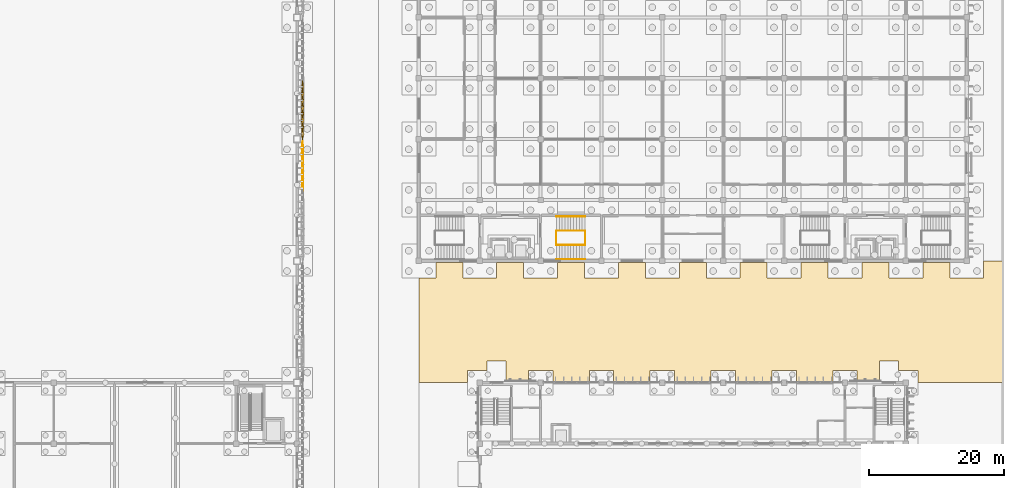
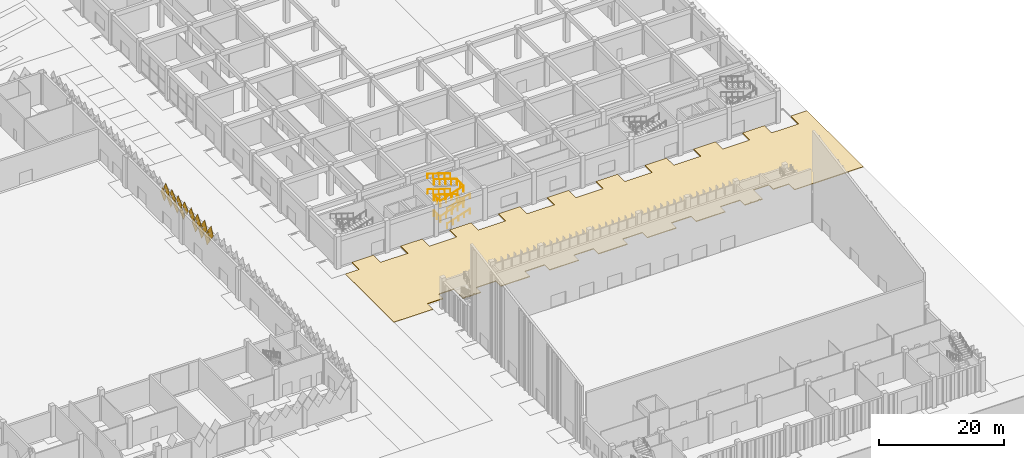
# One storey, part 186 of 198: 16 coverings, 12 railings.
"""IFC4 building model written with IfcOpenShell, lengths in metres."""

import ifcopenshell
import ifcopenshell.guid

model = None  # the IFC model being written
_history = None  # IfcOwnerHistory: only IFC2X3 demands one
_inside = {}  # id of a spatial element -> (the spatial element, [elements in it])
_under = {}  # id of a project, library or spatial element -> (it, [spatial elements below it])
_declared = {}  # id of a project -> (the project, [libraries it declares])
_typed = {}  # id of a type object -> (the type object, [elements of that type])
_made_of = {}  # id of a material, layer set ... -> (it, [elements and type objects made of it])


def new_model(schema):
    """Start an empty IFC model of exactly this schema.

    Asked for "IFC4X3", IfcOpenShell would pick the latest addendum, in which some entities
    have other attributes; the version numbers below select the first issue.
    IFC2X3 requires an IfcOwnerHistory on every rooted entity: one is made here for all.
    """
    global model, _history
    if schema == "IFC4X3":
        model = ifcopenshell.file(schema_version=(4, 3, 0, 0))
    else:
        model = ifcopenshell.file(schema=schema)
    _inside.clear()
    _under.clear()
    _declared.clear()
    _typed.clear()
    _made_of.clear()
    _history = None
    if model.schema == "IFC2X3":
        org = make("IfcOrganization", Name="unknown")
        user = make(
            "IfcPersonAndOrganization",
            ThePerson=make("IfcPerson", FamilyName="unknown"),
            TheOrganization=org,
        )
        app = make(
            "IfcApplication",
            ApplicationDeveloper=org,
            Version="unknown",
            ApplicationFullName="unknown",
            ApplicationIdentifier="unknown",
        )
        _history = make(
            "IfcOwnerHistory",
            OwningUser=user,
            OwningApplication=app,
            ChangeAction="ADDED",
            CreationDate=0,
        )
    return model


def make(cls, **values):
    """One entity of the class cls with the attributes given. An attribute that is None is left unset."""
    return model.create_entity(
        cls, **{name: value for name, value in values.items() if value is not None}
    )


def rooted(cls, **values):
    """An entity with a GlobalId (a new one), such as an element, a storey or a relation."""
    return make(cls, GlobalId=ifcopenshell.guid.new(), OwnerHistory=_history, **values)


def si_unit(unit_type, name, prefix=None):
    """IfcSIUnit, for example si_unit("LENGTHUNIT", "METRE", prefix="MILLI")."""
    return make("IfcSIUnit", UnitType=unit_type, Prefix=prefix, Name=name)


def assignment(units):
    """IfcUnitAssignment: the units of a project."""
    return None if units is None else make("IfcUnitAssignment", Units=units)


def point(xyz):
    """IfcCartesianPoint."""
    return None if xyz is None else make("IfcCartesianPoint", Coordinates=xyz)


def direction(xyz):
    """IfcDirection."""
    return None if xyz is None else make("IfcDirection", DirectionRatios=xyz)


def frame(location, z_axis=None, x_axis=None):
    """IfcAxis2Placement3D, a coordinate frame: its origin and axes. An axis left out is left unset."""
    return make(
        "IfcAxis2Placement3D",
        Location=point(location),
        Axis=direction(z_axis),
        RefDirection=direction(x_axis),
    )


def frame_2d(location, x_axis=None):
    """IfcAxis2Placement2D, a coordinate frame in the plane: its origin and x axis."""
    return make(
        "IfcAxis2Placement2D", Location=point(location), RefDirection=direction(x_axis)
    )


def origin():
    """The frame at (0, 0, 0) with its axes left unset."""
    return frame((0.0, 0.0, 0.0))


def origin_2d():
    """The frame at (0, 0) in the plane with its x axis left unset."""
    return frame_2d((0.0, 0.0))


def place(relative_to, where):
    """IfcLocalPlacement: puts the frame where relative to a parent placement (None: the world)."""
    return make(
        "IfcLocalPlacement", PlacementRelTo=relative_to, RelativePlacement=where
    )


def context(
    kind, dimensions, precision=None, world=None, true_north=None, identifier=None
):
    """IfcGeometricRepresentationContext, for example the 3D "Model" context."""
    return make(
        "IfcGeometricRepresentationContext",
        ContextIdentifier=identifier,
        ContextType=kind,
        CoordinateSpaceDimension=dimensions,
        Precision=precision,
        WorldCoordinateSystem=world,
        TrueNorth=true_north,
    )


def subcontext(parent, identifier, kind, view, scale=None):
    """IfcGeometricRepresentationSubContext, for example "Body" below "Model"."""
    return make(
        "IfcGeometricRepresentationSubContext",
        ContextIdentifier=identifier,
        ContextType=kind,
        ParentContext=parent,
        TargetScale=scale,
        TargetView=view,
    )


def project(units=None, contexts=None):
    """IfcProject with its units and contexts."""
    return rooted(
        "IfcProject",
        Name="project",
        RepresentationContexts=contexts,
        UnitsInContext=assignment(units),
    )


def spatial(cls, under=None, at=None, **own):
    """A site, building, storey or space (cls), placed at a placement, below another one or the project."""
    s = rooted(cls, ObjectPlacement=at, **own)
    if under is not None:
        _under.setdefault(under.id(), (under, []))[1].append(s)
    return s


def polyline(points):
    """IfcPolyline through the points."""
    return make("IfcPolyline", Points=[point(p) for p in points])


def profile(cls, at=None, kind="AREA", **sizes):
    """A parametric profile (cls). Its sizes go by their IFC names, for example OverallWidth=200.0."""
    return make(cls, ProfileType=kind, Position=at, **sizes)


def circle(**sizes):
    """IfcCircleProfileDef."""
    return profile("IfcCircleProfileDef", **sizes)


def outline(outer, holes=None, kind="AREA"):
    """IfcArbitraryClosedProfileDef: a profile drawn as a closed curve; with holes, ...WithVoids."""
    if holes is None:
        return make("IfcArbitraryClosedProfileDef", ProfileType=kind, OuterCurve=outer)
    return make(
        "IfcArbitraryProfileDefWithVoids",
        ProfileType=kind,
        OuterCurve=outer,
        InnerCurves=holes,
    )


def extrude(swept, where, along, depth):
    """IfcExtrudedAreaSolid: the profile swept, set in the frame where, extruded along a direction by depth."""
    return make(
        "IfcExtrudedAreaSolid",
        SweptArea=swept,
        Position=where,
        ExtrudedDirection=direction(along),
        Depth=depth,
    )


def shape(context_of_items, identifier, shape_type, items):
    """IfcShapeRepresentation: the items that make up one representation, for example the "Body"."""
    return make(
        "IfcShapeRepresentation",
        ContextOfItems=context_of_items,
        RepresentationIdentifier=identifier,
        RepresentationType=shape_type,
        Items=items,
    )


def material(Name=None, Category=None):
    """IfcMaterial."""
    return make("IfcMaterial", Name=Name, Category=Category)


def layer(
    of_material, thickness, ventilated=None, Name=None, Category=None, Priority=None
):
    """IfcMaterialLayer: one layer of a wall or slab, of a material (None: an air gap)."""
    return make(
        "IfcMaterialLayer",
        Material=of_material,
        LayerThickness=thickness,
        IsVentilated=ventilated,
        Name=Name,
        Category=Category,
        Priority=Priority,
    )


def layer_set(layers, Name=None):
    """IfcMaterialLayerSet."""
    return make("IfcMaterialLayerSet", MaterialLayers=layers, LayerSetName=Name)


def constituent(of_material, Name=None, Category=None, fraction=None):
    """IfcMaterialConstituent: one of the materials an element consists of."""
    return make(
        "IfcMaterialConstituent",
        Name=Name,
        Material=of_material,
        Fraction=fraction,
        Category=Category,
    )


def constituent_set(constituents=None, Name=None):
    """IfcMaterialConstituentSet."""
    return make(
        "IfcMaterialConstituentSet", Name=Name, MaterialConstituents=constituents
    )


def material_profile(
    of_material, cross_section, Name=None, Category=None, Priority=None
):
    """IfcMaterialProfile: a cross section and its material."""
    return make(
        "IfcMaterialProfile",
        Name=Name,
        Material=of_material,
        Profile=cross_section,
        Priority=Priority,
        Category=Category,
    )


def profile_set(profiles, Name=None, composite=None):
    """IfcMaterialProfileSet."""
    return make(
        "IfcMaterialProfileSet",
        Name=Name,
        MaterialProfiles=profiles,
        CompositeProfile=composite,
    )


def made_of(thing, what):
    """Note that an element or type object is made of a material, layer set ...; save() writes the relation."""
    if what is not None:
        _made_of.setdefault(what.id(), (what, []))[1].append(thing)
    return thing


def type_object(cls, material=None, **own):
    """A type object (cls), such as IfcWallType, which elements share."""
    return made_of(rooted(cls, **own), material)


def element(
    cls,
    number,
    at=None,
    inside=None,
    cuts=None,
    type_object=None,
    material=None,
    context=None,
    identifier="Body",
    shape_type=None,
    held_by="IfcProductDefinitionShape",
    body=None,
    shapes=None,
    **own,
):
    """One element of the class cls, such as IfcWall. Its Tag is "e" and its number.

    at: its placement. inside: the storey or other place that contains it. cuts: it is an
    opening in that element (IfcRelVoidsElement). A single representation is given by context,
    identifier, shape_type and body (its items); several are given by shapes. held_by: the class
    of the entity that holds the representations. save() writes the other relations.
    """
    e = rooted(cls, Tag="e%d" % number, ObjectPlacement=at, **own)
    if body is not None:
        shapes = [shape(context, identifier, shape_type, body)]
    if shapes is not None:
        e.Representation = make(held_by, Representations=shapes)
    if inside is not None:
        _inside.setdefault(inside.id(), (inside, []))[1].append(e)
    if cuts is not None:
        rooted(
            "IfcRelVoidsElement", RelatingBuildingElement=cuts, RelatedOpeningElement=e
        )
    if type_object is not None:
        _typed.setdefault(type_object.id(), (type_object, []))[1].append(e)
    return made_of(e, material)


def aggregate(whole, parts):
    """IfcRelAggregates: a whole, such as a stair, and the parts it consists of."""
    return rooted("IfcRelAggregates", RelatingObject=whole, RelatedObjects=parts)


def save(model, path):
    """Write the relations noted so far, then the file.

    IfcRelAggregates (storeys below a building ...), IfcRelContainedInSpatialStructure (elements
    in a storey), IfcRelDefinesByType, IfcRelAssociatesMaterial and IfcRelDeclares: one each for
    every whole, place, type object, material and project.
    """
    for whole, parts in _under.values():
        aggregate(whole, parts)
    for where, things in _inside.values():
        rooted(
            "IfcRelContainedInSpatialStructure",
            RelatedElements=things,
            RelatingStructure=where,
        )
    for kind, things in _typed.values():
        rooted("IfcRelDefinesByType", RelatedObjects=things, RelatingType=kind)
    for what, things in _made_of.values():
        rooted("IfcRelAssociatesMaterial", RelatedObjects=things, RelatingMaterial=what)
    for by, libraries in _declared.values():
        rooted("IfcRelDeclares", RelatingContext=by, RelatedDefinitions=libraries)
    model.write(path)


model = new_model("IFC4")

# Units and contexts
model_context = context("Model", 3, precision=1e-05, world=origin(), true_north=direction((0.0, 1.0)))
body_context = subcontext(model_context, "Body", "Model", "MODEL_VIEW")
ifc_project = project(units=[si_unit("LENGTHUNIT", "METRE"), si_unit("AREAUNIT", "SQUARE_METRE"), si_unit("VOLUMEUNIT", "CUBIC_METRE"), si_unit("PLANEANGLEUNIT", "RADIAN"), si_unit("MASSUNIT", "GRAM", prefix="KILO")], contexts=[model_context])

# Site, building, storey
site_placement = place(None, origin())
site = spatial("IfcSite", under=ifc_project, at=site_placement, CompositionType="ELEMENT")
building_placement = place(site_placement, origin())
building = spatial("IfcBuilding", under=site, at=building_placement, Name="Opaline Strait Convention Centre", CompositionType="ELEMENT")
storey_placement = place(building_placement, origin())
storey = spatial("IfcBuildingStorey", under=building, at=storey_placement, Name="L00", CompositionType="ELEMENT", Elevation=0.0)

# Coverings
ifc_material_1 = material(Name="Asphalt road surfacing")
ifc_layer = layer(ifc_material_1, 0.14990234375)
ifc_layer_set = layer_set([ifc_layer], Name="Asphalt road surfacing")
covering_type_1 = type_object("IfcCoveringType", Name="Asphalt road surfacing 150", PredefinedType="FLOORING", material=ifc_layer_set)
covering_1_placement = place(storey_placement, frame((0.0, 0.0, -0.14990234375)))
element("IfcCovering", 1, at=covering_1_placement, inside=storey, type_object=covering_type_1, Name="External Service Lane surfacing", PredefinedType="FLOORING", context=body_context, shape_type="SweptSolid", body=[
    extrude(outline(polyline([(365.5, 72.0), (365.5, 90.0), (362.5048828125, 90.0), (362.5048828125, 87.4951171875), (357.4951171875, 87.4951171875), (357.4951171875, 89.794921875), (353.5048828125, 89.794921875), (353.5048828125, 87.4951171875), (348.4951171875, 87.4951171875), (348.4951171875, 89.794921875), (344.5048828125, 89.794921875), (344.5048828125, 87.4951171875), (339.4951171875, 87.4951171875), (339.4951171875, 89.794921875), (335.5048828125, 89.794921875), (335.5048828125, 87.4951171875), (330.4951171875, 87.4951171875), (330.4951171875, 89.794921875), (326.5048828125, 89.794921875), (326.5048828125, 87.4951171875), (321.4951171875, 87.4951171875), (321.4951171875, 89.794921875), (317.5048828125, 89.794921875), (317.5048828125, 87.4951171875), (312.4951171875, 87.4951171875), (312.4951171875, 89.794921875), (308.5048828125, 89.794921875), (308.5048828125, 87.4951171875), (303.4951171875, 87.4951171875), (303.4951171875, 89.794921875), (299.5048828125, 89.794921875), (299.5048828125, 87.4951171875), (294.4951171875, 87.4951171875), (294.4951171875, 89.794921875), (290.5048828125, 89.794921875), (290.5048828125, 87.4951171875), (285.4951171875, 87.4951171875), (285.4951171875, 89.794921875), (281.5048828125, 89.794921875), (281.5048828125, 87.4951171875), (279.0, 87.4951171875), (279.0, 72.0), (286.195068359375, 72.0), (286.195068359375, 73.804931640625), (289.094970703125, 73.804931640625), (289.094970703125, 75.205078125), (291.905029296875, 75.205078125), (291.905029296875, 72.284912109375), (292.419921875, 72.284912109375), (292.419921875, 72.5048828125), (292.580078125, 72.5048828125), (292.580078125, 72.284912109375), (293.2451171875, 72.284912109375), (293.2548828125, 72.284912109375), (293.919921875, 72.284912109375), (293.919921875, 72.5048828125), (294.080078125, 72.5048828125), (294.080078125, 72.284912109375), (294.7451171875, 72.284912109375), (294.7548828125, 72.284912109375), (295.195068359375, 72.284912109375), (295.195068359375, 73.804931640625), (298.804931640625, 73.804931640625), (298.804931640625, 72.205078125), (304.195068359375, 72.205078125), (304.195068359375, 73.804931640625), (307.804931640625, 73.804931640625), (307.804931640625, 72.205078125), (313.195068359375, 72.205078125), (313.195068359375, 73.804931640625), (316.804931640625, 73.804931640625), (316.804931640625, 72.205078125), (322.195068359375, 72.205078125), (322.195068359375, 73.804931640625), (325.804931640625, 73.804931640625), (325.804931640625, 72.205078125), (331.195068359375, 72.205078125), (331.195068359375, 73.804931640625), (334.804931640625, 73.804931640625), (334.804931640625, 72.205078125), (340.195068359375, 72.205078125), (340.195068359375, 73.804931640625), (343.804931640625, 73.804931640625), (343.804931640625, 72.284912109375), (344.2451171875, 72.284912109375), (344.2548828125, 72.284912109375), (344.919921875, 72.284912109375), (344.919921875, 72.5048828125), (345.080078125, 72.5048828125), (345.080078125, 72.284912109375), (345.7451171875, 72.284912109375), (345.7548828125, 72.284912109375), (346.419921875, 72.284912109375), (346.419921875, 72.5048828125), (346.580078125, 72.5048828125), (346.580078125, 72.284912109375), (347.094970703125, 72.284912109375), (347.094970703125, 75.205078125), (349.905029296875, 75.205078125), (349.905029296875, 73.804931640625), (352.804931640625, 73.804931640625), (352.804931640625, 72.0), (365.5, 72.0)])), origin(), (0.0, 0.0, 1.0), 0.14990234375),
])
ifc_material_2 = material(Name="White ceramic-faced aluminium tile", Category="aluminium")
ifc_material_profile_1 = material_profile(ifc_material_2, outline(polyline([(0.927978515625, 0.0), (0.0, 1.39208984375), (-0.927978515625, 0.0), (0.0, -1.39208984375), (0.927978515625, 0.0)])), Name="Diamond tile 1856x2784")
ifc_profile_set_1 = profile_set([ifc_material_profile_1], Name="White ceramic-faced aluminium tile")
covering_type_2 = type_object("IfcCoveringType", Name="Diamond wall tile 1856x2784x30 pivot 3 deg", PredefinedType="CLADDING", material=ifc_profile_set_1)
for number, where, z_axis, x_axis, name in (
    (2, (261.800048828125, 101.75, 4.39208984375), (0.998384516691, 0.0, -0.056818631031), (0.0, 1.0, 0.0), "Wall tile XT06 E"),
    (3, (261.800048828125, 103.75, 4.39208984375), (0.998812351125, 0.0, 0.048722553713), (0.0, 1.0, 0.0), "Wall tile XT06 E"),
    (4, (261.800048828125, 102.75, 5.89208984375), (0.998384516691, 0.0, -0.056818631031), (0.0, 1.0, 0.0), "Wall tile XT06 E"),
    (5, (261.800048828125, 104.75, 5.89208984375), (0.998812351125, 0.0, 0.048722553713), (0.0, 1.0, 0.0), "Wall tile XT06 E"),
):
    element("IfcCovering", number, at=place(storey_placement, frame(where, z_axis=z_axis, x_axis=x_axis)), inside=storey, type_object=covering_type_2, Name=name, PredefinedType="CLADDING", context=body_context, shape_type="SweptSolid", body=[
        extrude(outline(polyline([(0.927978515625, 0.0), (0.0, 1.39208984375), (-0.927978515625, 0.0), (0.0, -1.39208984375), (0.927978515625, 0.0)])), origin(), (0.0, 0.0, 1.0), 0.030029296875),
    ])
ifc_material_profile_2 = material_profile(ifc_material_2, outline(polyline([(0.927978515625, 0.0), (0.0, 1.39208984375), (-0.927978515625, 0.0), (0.0, -1.39208984375), (0.927978515625, 0.0)])), Name="Diamond tile 1856x2784")
ifc_profile_set_2 = profile_set([ifc_material_profile_2], Name="White ceramic-faced aluminium tile")
covering_type_3 = type_object("IfcCoveringType", Name="Diamond wall tile 1856x2784x30 pivot 4 deg", PredefinedType="CLADDING", material=ifc_profile_set_2)
covering_2_placement = place(storey_placement, frame((261.800048828125, 100.75, 5.89208984375), z_axis=(0.997290013252, 0.0, -0.073570574748), x_axis=(0.0, 1.0, 0.0)))
element("IfcCovering", 6, at=covering_2_placement, inside=storey, type_object=covering_type_3, Name="Wall tile XT08 E", PredefinedType="CLADDING", context=body_context, shape_type="SweptSolid", body=[
    extrude(outline(polyline([(0.927978515625, 0.0), (0.0, 1.39208984375), (-0.927978515625, 0.0), (0.0, -1.39208984375), (0.927978515625, 0.0)])), origin(), (0.0, 0.0, 1.0), 0.02978515625),
])
ifc_material_profile_3 = material_profile(ifc_material_2, outline(polyline([(0.927978515625, 0.0), (0.0, 1.39208984375), (-0.927978515625, 0.0), (0.0, -1.39208984375), (0.927978515625, 0.0)])), Name="Diamond tile 1856x2784")
ifc_profile_set_3 = profile_set([ifc_material_profile_3], Name="White ceramic-faced aluminium tile")
covering_type_4 = type_object("IfcCoveringType", Name="Diamond wall tile 1856x2784x30 pivot 4.5 deg", PredefinedType="CLADDING", material=ifc_profile_set_3)
covering_3_placement = place(storey_placement, frame((261.800048828125, 106.75, 5.89208984375), z_axis=(0.997290013252, 0.0, 0.073570574748), x_axis=(0.0, 1.0, 0.0)))
element("IfcCovering", 7, at=covering_3_placement, inside=storey, type_object=covering_type_4, Name="Wall tile XT09 E", PredefinedType="CLADDING", context=body_context, shape_type="SweptSolid", body=[
    extrude(outline(polyline([(0.927978515625, 0.0), (0.0, 1.39208984375), (-0.927978515625, 0.0), (0.0, -1.39208984375), (0.927978515625, 0.0)])), origin(), (0.0, 0.0, 1.0), 0.02978515625),
])
ifc_material_profile_4 = material_profile(ifc_material_2, outline(polyline([(0.927978515625, 0.0), (0.0, 1.39208984375), (-0.927978515625, 0.0), (0.0, -1.39208984375), (0.927978515625, 0.0)])), Name="Diamond tile 1856x2784")
ifc_profile_set_4 = profile_set([ifc_material_profile_4], Name="White ceramic-faced aluminium tile")
covering_type_5 = type_object("IfcCoveringType", Name="Diamond wall tile 1856x2784x30 pivot 5 deg", PredefinedType="CLADDING", material=ifc_profile_set_4)
covering_4_placement = place(storey_placement, frame((261.800048828125, 105.75, 4.39208984375), z_axis=(0.996657521232, 0.0, 0.081693239445), x_axis=(0.0, 1.0, 0.0)))
element("IfcCovering", 8, at=covering_4_placement, inside=storey, type_object=covering_type_5, Name="Wall tile XT10 E", PredefinedType="CLADDING", context=body_context, shape_type="SweptSolid", body=[
    extrude(outline(polyline([(0.927978515625, 0.0), (0.0, 1.39208984375), (-0.927978515625, 0.0), (0.0, -1.39208984375), (0.927978515625, 0.0)])), origin(), (0.0, 0.0, 1.0), 0.02978515625),
])
ifc_material_profile_5 = material_profile(ifc_material_2, outline(polyline([(0.927978515625, 0.0), (0.0, 1.39208984375), (-0.927978515625, 0.0), (0.0, -1.39208984375), (0.927978515625, 0.0)])), Name="Diamond tile 1856x2784")
ifc_profile_set_5 = profile_set([ifc_material_profile_5], Name="White ceramic-faced aluminium tile")
covering_type_6 = type_object("IfcCoveringType", Name="Diamond wall tile 1856x2784x30 pivot 5.5 deg", PredefinedType="CLADDING", material=ifc_profile_set_5)
covering_5_placement = place(storey_placement, frame((261.800048828125, 115.75, 4.39208984375), z_axis=(0.995959849254, 0.0, 0.089799658539), x_axis=(0.0, 1.0, 0.0)))
element("IfcCovering", 9, at=covering_5_placement, inside=storey, type_object=covering_type_6, Name="Wall tile XT11 E", PredefinedType="CLADDING", context=body_context, shape_type="SweptSolid", body=[
    extrude(outline(polyline([(0.927978515625, 0.0), (0.0, 1.39208984375), (-0.927978515625, 0.0), (0.0, -1.39208984375), (0.927978515625, 0.0)])), origin(), (0.0, 0.0, 1.0), 0.02978515625),
])
ifc_material_profile_6 = material_profile(ifc_material_2, outline(polyline([(0.927978515625, 0.0), (0.0, 1.39208984375), (-0.927978515625, 0.0), (0.0, -1.39208984375), (0.927978515625, 0.0)])), Name="Diamond tile 1856x2784")
ifc_profile_set_6 = profile_set([ifc_material_profile_6], Name="White ceramic-faced aluminium tile")
covering_type_7 = type_object("IfcCoveringType", Name="Diamond wall tile 1856x2784x30 pivot 7 deg", PredefinedType="CLADDING", material=ifc_profile_set_6)
covering_6_placement = place(storey_placement, frame((261.800048828125, 108.75, 5.89208984375), z_axis=(0.992526177815, 0.0, 0.122031907108), x_axis=(0.0, 1.0, 0.0)))
element("IfcCovering", 10, at=covering_6_placement, inside=storey, type_object=covering_type_7, Name="Wall tile XT14 E", PredefinedType="CLADDING", context=body_context, shape_type="SweptSolid", body=[
    extrude(outline(polyline([(0.927978515625, 0.0), (0.0, 1.39208984375), (-0.927978515625, 0.0), (0.0, -1.39208984375), (0.927978515625, 0.0)])), origin(), (0.0, 0.0, 1.0), 0.030029296875),
])
ifc_material_profile_7 = material_profile(ifc_material_2, outline(polyline([(0.927978515625, 0.0), (0.0, 1.39208984375), (-0.927978515625, 0.0), (0.0, -1.39208984375), (0.927978515625, 0.0)])), Name="Diamond tile 1856x2784")
ifc_profile_set_7 = profile_set([ifc_material_profile_7], Name="White ceramic-faced aluminium tile")
covering_type_8 = type_object("IfcCoveringType", Name="Diamond wall tile 1856x2784x30 pivot 7.5 deg", PredefinedType="CLADDING", material=ifc_profile_set_7)
for number, where, z_axis, x_axis, name in (
    (11, (261.800048828125, 113.75, 4.39208984375), (0.991509530601, 0.0, 0.1300340368), (0.0, 1.0, 0.0), "Wall tile XT15 E"),
    (12, (261.800048828125, 114.75, 5.89208984375), (0.991509530601, 0.0, 0.1300340368), (0.0, 1.0, 0.0), "Wall tile XT15 E"),
):
    element("IfcCovering", number, at=place(storey_placement, frame(where, z_axis=z_axis, x_axis=x_axis)), inside=storey, type_object=covering_type_8, Name=name, PredefinedType="CLADDING", context=body_context, shape_type="SweptSolid", body=[
        extrude(outline(polyline([(0.927978515625, 0.0), (0.0, 1.39208984375), (-0.927978515625, 0.0), (0.0, -1.39208984375), (0.927978515625, 0.0)])), origin(), (0.0, 0.0, 1.0), 0.030029296875),
    ])
ifc_material_profile_8 = material_profile(ifc_material_2, outline(polyline([(0.927978515625, 0.0), (0.0, 1.39208984375), (-0.927978515625, 0.0), (0.0, -1.39208984375), (0.927978515625, 0.0)])), Name="Diamond tile 1856x2784")
ifc_profile_set_8 = profile_set([ifc_material_profile_8], Name="White ceramic-faced aluminium tile")
covering_type_9 = type_object("IfcCoveringType", Name="Diamond wall tile 1856x2784x30 pivot 8 deg", PredefinedType="CLADDING", material=ifc_profile_set_8)
for number, where, z_axis, x_axis, name in (
    (13, (261.800048828125, 109.75, 4.39208984375), (0.990274204789, 0.0, 0.139129433731), (0.0, 1.0, 0.0), "Wall tile XT16 E"),
    (14, (261.800048828125, 110.75, 5.89208984375), (0.990274204789, 0.0, 0.139129433731), (0.0, 1.0, 0.0), "Wall tile XT16 E"),
):
    element("IfcCovering", number, at=place(storey_placement, frame(where, z_axis=z_axis, x_axis=x_axis)), inside=storey, type_object=covering_type_9, Name=name, PredefinedType="CLADDING", context=body_context, shape_type="SweptSolid", body=[
        extrude(outline(polyline([(0.927978515625, 0.0), (0.0, 1.39208984375), (-0.927978515625, 0.0), (0.0, -1.39208984375), (0.927978515625, 0.0)])), origin(), (0.0, 0.0, 1.0), 0.02978515625),
    ])
ifc_material_profile_9 = material_profile(ifc_material_2, outline(polyline([(0.927978515625, 0.0), (0.0, 1.39208984375), (-0.927978515625, 0.0), (0.0, -1.39208984375), (0.927978515625, 0.0)])), Name="Diamond tile 1856x2784")
ifc_profile_set_9 = profile_set([ifc_material_profile_9], Name="White ceramic-faced aluminium tile")
covering_type_10 = type_object("IfcCoveringType", Name="Diamond wall tile 1856x2784x30 pivot 8.5 deg", PredefinedType="CLADDING", material=ifc_profile_set_9)
for number, where, z_axis, x_axis, name in (
    (15, (261.800048828125, 111.75, 4.39208984375), (0.989115504946, 0.0, 0.147141149496), (0.0, 1.0, 0.0), "Wall tile XT17 E"),
    (16, (261.800048828125, 112.75, 5.89208984375), (0.989115504946, 0.0, 0.147141149496), (0.0, 1.0, 0.0), "Wall tile XT17 E"),
):
    element("IfcCovering", number, at=place(storey_placement, frame(where, z_axis=z_axis, x_axis=x_axis)), inside=storey, type_object=covering_type_10, Name=name, PredefinedType="CLADDING", context=body_context, shape_type="SweptSolid", body=[
        extrude(outline(polyline([(0.927978515625, 0.0), (0.0, 1.39208984375), (-0.927978515625, 0.0), (0.0, -1.39208984375), (0.927978515625, 0.0)])), origin(), (0.0, 0.0, 1.0), 0.02978515625),
    ])

# Railings
ifc_material_3 = material(Name="Steel Q235B", Category="steel")
ifc_constituent_1 = constituent(ifc_material_3, Name="Frame")
ifc_material_4 = material(Name="Safety glass, bonded interlayer", Category="glass")
ifc_constituent_2 = constituent(ifc_material_4, Name="Infill")
ifc_constituent_set = constituent_set(constituents=[ifc_constituent_1, ifc_constituent_2], Name="Steel Q235B, Safety glass, bonded interlayer")
railing_type_1 = type_object("IfcRailingType", Name="Guard 1100 steel and glass", PredefinedType="GUARDRAIL", material=ifc_constituent_set)
railing_1_placement = place(storey_placement, frame((299.349853515625, 92.349853515625, 0.136474609375)))
element("IfcRailing", 17, at=railing_1_placement, inside=storey, type_object=railing_type_1, Name="L00 S2 stair guard 1", PredefinedType="GUARDRAIL", context=body_context, shape_type="SweptSolid", body=[
    extrude(circle(Radius=0.02392578125, at=origin_2d()), frame((0.0, 0.0, 1.076171875), z_axis=(0.951131128591, 0.0, 0.308787266941), x_axis=(0.0, 1.0, 0.0)), (0.0, 0.0, 1.0), 4.415771484375),
    extrude(circle(Radius=0.02099609375, at=origin_2d()), origin(), (0.0, 0.0, 1.0), 1.052001953125),
    extrude(circle(Radius=0.02099609375, at=origin_2d()), frame((1.050048828125, 0.0, 0.3408203125)), (0.0, 0.0, 1.0), 1.052001953125),
    extrude(circle(Radius=0.02099609375, at=origin_2d()), frame((2.10009765625, 0.0, 0.681640625)), (0.0, 0.0, 1.0), 1.052001953125),
    extrude(circle(Radius=0.02099609375, at=origin_2d()), frame((3.14990234375, 0.0, 1.022705078125)), (0.0, 0.0, 1.0), 1.052001953125),
    extrude(circle(Radius=0.02099609375, at=origin_2d()), frame((4.199951171875, 0.0, 1.363525390625)), (0.0, 0.0, 1.0), 1.052001953125),
])
railing_2_placement = place(storey_placement, frame((303.599853515625, 92.39990234375, 1.5)))
element("IfcRailing", 18, at=railing_2_placement, inside=storey, type_object=railing_type_1, Name="L00 S2 stair guard 2", PredefinedType="GUARDRAIL", context=body_context, shape_type="SweptSolid", body=[
    extrude(circle(Radius=0.02392578125, at=origin_2d()), frame((0.0, 0.0, 1.076171875), z_axis=(0.0, 1.0, 0.0), x_axis=(-1.0, 0.0, 0.0)), (0.0, 0.0, 1.0), 2.0),
    extrude(circle(Radius=0.02099609375, at=origin_2d()), origin(), (0.0, 0.0, 1.0), 1.052001953125),
    extrude(circle(Radius=0.02099609375, at=origin_2d()), frame((0.0, 1.0, 0.0)), (0.0, 0.0, 1.0), 1.052001953125),
    extrude(circle(Radius=0.02099609375, at=origin_2d()), frame((0.0, 2.0, 0.0)), (0.0, 0.0, 1.0), 1.052001953125),
])
railing_3_placement = place(storey_placement, frame((303.5498046875, 94.449951171875, 1.636474609375)))
element("IfcRailing", 19, at=railing_3_placement, inside=storey, type_object=railing_type_1, Name="L00 S2 stair guard 3", PredefinedType="GUARDRAIL", context=body_context, shape_type="SweptSolid", body=[
    extrude(circle(Radius=0.02392578125, at=origin_2d()), frame((0.0, 0.0, 1.076171875), z_axis=(-0.951131128591, 0.0, 0.308787266941), x_axis=(0.0, -1.0, 0.0)), (0.0, 0.0, 1.0), 4.415771484375),
    extrude(circle(Radius=0.02099609375, at=origin_2d()), origin(), (0.0, 0.0, 1.0), 1.052001953125),
    extrude(circle(Radius=0.02099609375, at=origin_2d()), frame((-1.050048828125, 0.0, 0.3408203125)), (0.0, 0.0, 1.0), 1.052001953125),
    extrude(circle(Radius=0.02099609375, at=origin_2d()), frame((-2.10009765625, 0.0, 0.681640625)), (0.0, 0.0, 1.0), 1.052001953125),
    extrude(circle(Radius=0.02099609375, at=origin_2d()), frame((-3.14990234375, 0.0, 1.022705078125)), (0.0, 0.0, 1.0), 1.052001953125),
    extrude(circle(Radius=0.02099609375, at=origin_2d()), frame((-4.199951171875, 0.0, 1.363525390625)), (0.0, 0.0, 1.0), 1.052001953125),
])
railing_4_placement = place(storey_placement, frame((299.2998046875, 92.39990234375, 3.0)))
element("IfcRailing", 20, at=railing_4_placement, inside=storey, type_object=railing_type_1, Name="L00 S2 stair guard 4", PredefinedType="GUARDRAIL", context=body_context, shape_type="SweptSolid", body=[
    extrude(circle(Radius=0.02392578125, at=origin_2d()), frame((0.0, 0.0, 1.076171875), z_axis=(0.0, 1.0, 0.0), x_axis=(-1.0, 0.0, 0.0)), (0.0, 0.0, 1.0), 2.0),
    extrude(circle(Radius=0.02099609375, at=origin_2d()), origin(), (0.0, 0.0, 1.0), 1.052001953125),
    extrude(circle(Radius=0.02099609375, at=origin_2d()), frame((0.0, 1.0, 0.0)), (0.0, 0.0, 1.0), 1.052001953125),
    extrude(circle(Radius=0.02099609375, at=origin_2d()), frame((0.0, 2.0, 0.0)), (0.0, 0.0, 1.0), 1.052001953125),
])
railing_5_placement = place(storey_placement, frame((299.349853515625, 92.349853515625, 3.136474609375)))
element("IfcRailing", 21, at=railing_5_placement, inside=storey, type_object=railing_type_1, Name="L00 S2 stair guard 5", PredefinedType="GUARDRAIL", context=body_context, shape_type="SweptSolid", body=[
    extrude(circle(Radius=0.02392578125, at=origin_2d()), frame((0.0, 0.0, 1.076171875), z_axis=(0.951131128591, 0.0, 0.308787266941), x_axis=(0.0, 1.0, 0.0)), (0.0, 0.0, 1.0), 4.415771484375),
    extrude(circle(Radius=0.02099609375, at=origin_2d()), origin(), (0.0, 0.0, 1.0), 1.052001953125),
    extrude(circle(Radius=0.02099609375, at=origin_2d()), frame((1.050048828125, 0.0, 0.3408203125)), (0.0, 0.0, 1.0), 1.052001953125),
    extrude(circle(Radius=0.02099609375, at=origin_2d()), frame((2.10009765625, 0.0, 0.681640625)), (0.0, 0.0, 1.0), 1.052001953125),
    extrude(circle(Radius=0.02099609375, at=origin_2d()), frame((3.14990234375, 0.0, 1.022705078125)), (0.0, 0.0, 1.0), 1.052001953125),
    extrude(circle(Radius=0.02099609375, at=origin_2d()), frame((4.199951171875, 0.0, 1.363525390625)), (0.0, 0.0, 1.0), 1.052001953125),
])
railing_6_placement = place(storey_placement, frame((303.599853515625, 92.39990234375, 4.5)))
element("IfcRailing", 22, at=railing_6_placement, inside=storey, type_object=railing_type_1, Name="L00 S2 stair guard 6", PredefinedType="GUARDRAIL", context=body_context, shape_type="SweptSolid", body=[
    extrude(circle(Radius=0.02392578125, at=origin_2d()), frame((0.0, 0.0, 1.076171875), z_axis=(0.0, 1.0, 0.0), x_axis=(-1.0, 0.0, 0.0)), (0.0, 0.0, 1.0), 2.0),
    extrude(circle(Radius=0.02099609375, at=origin_2d()), origin(), (0.0, 0.0, 1.0), 1.052001953125),
    extrude(circle(Radius=0.02099609375, at=origin_2d()), frame((0.0, 1.0, 0.0)), (0.0, 0.0, 1.0), 1.052001953125),
    extrude(circle(Radius=0.02099609375, at=origin_2d()), frame((0.0, 2.0, 0.0)), (0.0, 0.0, 1.0), 1.052001953125),
])
railing_7_placement = place(storey_placement, frame((303.5498046875, 94.449951171875, 4.636474609375)))
element("IfcRailing", 23, at=railing_7_placement, inside=storey, type_object=railing_type_1, Name="L00 S2 stair guard 7", PredefinedType="GUARDRAIL", context=body_context, shape_type="SweptSolid", body=[
    extrude(circle(Radius=0.02392578125, at=origin_2d()), frame((0.0, 0.0, 1.076171875), z_axis=(-0.951131128591, 0.0, 0.308787266941), x_axis=(0.0, -1.0, 0.0)), (0.0, 0.0, 1.0), 4.415771484375),
    extrude(circle(Radius=0.02099609375, at=origin_2d()), origin(), (0.0, 0.0, 1.0), 1.052001953125),
    extrude(circle(Radius=0.02099609375, at=origin_2d()), frame((-1.050048828125, 0.0, 0.3408203125)), (0.0, 0.0, 1.0), 1.052001953125),
    extrude(circle(Radius=0.02099609375, at=origin_2d()), frame((-2.10009765625, 0.0, 0.681640625)), (0.0, 0.0, 1.0), 1.052001953125),
    extrude(circle(Radius=0.02099609375, at=origin_2d()), frame((-3.14990234375, 0.0, 1.022705078125)), (0.0, 0.0, 1.0), 1.052001953125),
    extrude(circle(Radius=0.02099609375, at=origin_2d()), frame((-4.199951171875, 0.0, 1.363525390625)), (0.0, 0.0, 1.0), 1.052001953125),
])
railing_8_placement = place(storey_placement, frame((299.2998046875, 92.39990234375, 0.0)))
element("IfcRailing", 24, at=railing_8_placement, inside=storey, type_object=railing_type_1, Name="L00 S2 stair guard 8", PredefinedType="GUARDRAIL", context=body_context, shape_type="SweptSolid", body=[
    extrude(circle(Radius=0.02392578125, at=origin_2d()), frame((0.0, 0.0, 1.076171875), z_axis=(0.0, 1.0, 0.0), x_axis=(-1.0, 0.0, 0.0)), (0.0, 0.0, 1.0), 2.0),
    extrude(circle(Radius=0.02099609375, at=origin_2d()), origin(), (0.0, 0.0, 1.0), 1.052001953125),
    extrude(circle(Radius=0.02099609375, at=origin_2d()), frame((0.0, 1.0, 0.0)), (0.0, 0.0, 1.0), 1.052001953125),
    extrude(circle(Radius=0.02099609375, at=origin_2d()), frame((0.0, 2.0, 0.0)), (0.0, 0.0, 1.0), 1.052001953125),
])
ifc_material_5 = material(Name="Stainless steel 304", Category="steel")
railing_type_2 = type_object("IfcRailingType", Name="Stair handrail 900 stainless steel", PredefinedType="HANDRAIL", material=ifc_material_5)
railing_9_placement = place(storey_placement, frame((299.349853515625, 90.25, 0.136474609375)))
element("IfcRailing", 25, at=railing_9_placement, inside=storey, type_object=railing_type_2, Name="L00 S2 stair handrail 1", PredefinedType="HANDRAIL", context=body_context, shape_type="SweptSolid", body=[
    extrude(circle(Radius=0.02392578125, at=origin_2d()), frame((0.0, 0.0, 0.8759765625), z_axis=(0.951131128591, 0.0, 0.308787266941), x_axis=(0.0, 1.0, 0.0)), (0.0, 0.0, 1.0), 4.415771484375),
    extrude(circle(Radius=0.02099609375, at=origin_2d()), origin(), (0.0, 0.0, 1.0), 0.851806640625),
    extrude(circle(Radius=0.02099609375, at=origin_2d()), frame((1.050048828125, 0.0, 0.3408203125)), (0.0, 0.0, 1.0), 0.851806640625),
    extrude(circle(Radius=0.02099609375, at=origin_2d()), frame((2.10009765625, 0.0, 0.681640625)), (0.0, 0.0, 1.0), 0.851806640625),
    extrude(circle(Radius=0.02099609375, at=origin_2d()), frame((3.14990234375, 0.0, 1.022705078125)), (0.0, 0.0, 1.0), 0.851806640625),
    extrude(circle(Radius=0.02099609375, at=origin_2d()), frame((4.199951171875, 0.0, 1.363525390625)), (0.0, 0.0, 1.0), 0.851806640625),
])
railing_10_placement = place(storey_placement, frame((303.5498046875, 96.550048828125, 1.636474609375)))
element("IfcRailing", 26, at=railing_10_placement, inside=storey, type_object=railing_type_2, Name="L00 S2 stair handrail 2", PredefinedType="HANDRAIL", context=body_context, shape_type="SweptSolid", body=[
    extrude(circle(Radius=0.02392578125, at=origin_2d()), frame((0.0, 0.0, 0.8759765625), z_axis=(-0.951131128591, 0.0, 0.308787266941), x_axis=(0.0, -1.0, 0.0)), (0.0, 0.0, 1.0), 4.415771484375),
    extrude(circle(Radius=0.02099609375, at=origin_2d()), origin(), (0.0, 0.0, 1.0), 0.851806640625),
    extrude(circle(Radius=0.02099609375, at=origin_2d()), frame((-1.050048828125, 0.0, 0.3408203125)), (0.0, 0.0, 1.0), 0.851806640625),
    extrude(circle(Radius=0.02099609375, at=origin_2d()), frame((-2.10009765625, 0.0, 0.681640625)), (0.0, 0.0, 1.0), 0.851806640625),
    extrude(circle(Radius=0.02099609375, at=origin_2d()), frame((-3.14990234375, 0.0, 1.022705078125)), (0.0, 0.0, 1.0), 0.851806640625),
    extrude(circle(Radius=0.02099609375, at=origin_2d()), frame((-4.199951171875, 0.0, 1.363525390625)), (0.0, 0.0, 1.0), 0.851806640625),
])
railing_11_placement = place(storey_placement, frame((299.349853515625, 90.25, 3.136474609375)))
element("IfcRailing", 27, at=railing_11_placement, inside=storey, type_object=railing_type_2, Name="L00 S2 stair handrail 3", PredefinedType="HANDRAIL", context=body_context, shape_type="SweptSolid", body=[
    extrude(circle(Radius=0.02392578125, at=origin_2d()), frame((0.0, 0.0, 0.8759765625), z_axis=(0.951131128591, 0.0, 0.308787266941), x_axis=(0.0, 1.0, 0.0)), (0.0, 0.0, 1.0), 4.415771484375),
    extrude(circle(Radius=0.02099609375, at=origin_2d()), origin(), (0.0, 0.0, 1.0), 0.851806640625),
    extrude(circle(Radius=0.02099609375, at=origin_2d()), frame((1.050048828125, 0.0, 0.3408203125)), (0.0, 0.0, 1.0), 0.851806640625),
    extrude(circle(Radius=0.02099609375, at=origin_2d()), frame((2.10009765625, 0.0, 0.681640625)), (0.0, 0.0, 1.0), 0.851806640625),
    extrude(circle(Radius=0.02099609375, at=origin_2d()), frame((3.14990234375, 0.0, 1.022705078125)), (0.0, 0.0, 1.0), 0.851806640625),
    extrude(circle(Radius=0.02099609375, at=origin_2d()), frame((4.199951171875, 0.0, 1.363525390625)), (0.0, 0.0, 1.0), 0.851806640625),
])
railing_12_placement = place(storey_placement, frame((303.5498046875, 96.550048828125, 4.636474609375)))
element("IfcRailing", 28, at=railing_12_placement, inside=storey, type_object=railing_type_2, Name="L00 S2 stair handrail 4", PredefinedType="HANDRAIL", context=body_context, shape_type="SweptSolid", body=[
    extrude(circle(Radius=0.02392578125, at=origin_2d()), frame((0.0, 0.0, 0.8759765625), z_axis=(-0.951131128591, 0.0, 0.308787266941), x_axis=(0.0, -1.0, 0.0)), (0.0, 0.0, 1.0), 4.415771484375),
    extrude(circle(Radius=0.02099609375, at=origin_2d()), origin(), (0.0, 0.0, 1.0), 0.851806640625),
    extrude(circle(Radius=0.02099609375, at=origin_2d()), frame((-1.050048828125, 0.0, 0.3408203125)), (0.0, 0.0, 1.0), 0.851806640625),
    extrude(circle(Radius=0.02099609375, at=origin_2d()), frame((-2.10009765625, 0.0, 0.681640625)), (0.0, 0.0, 1.0), 0.851806640625),
    extrude(circle(Radius=0.02099609375, at=origin_2d()), frame((-3.14990234375, 0.0, 1.022705078125)), (0.0, 0.0, 1.0), 0.851806640625),
    extrude(circle(Radius=0.02099609375, at=origin_2d()), frame((-4.199951171875, 0.0, 1.363525390625)), (0.0, 0.0, 1.0), 0.851806640625),
])

save(model, "model.ifc")
